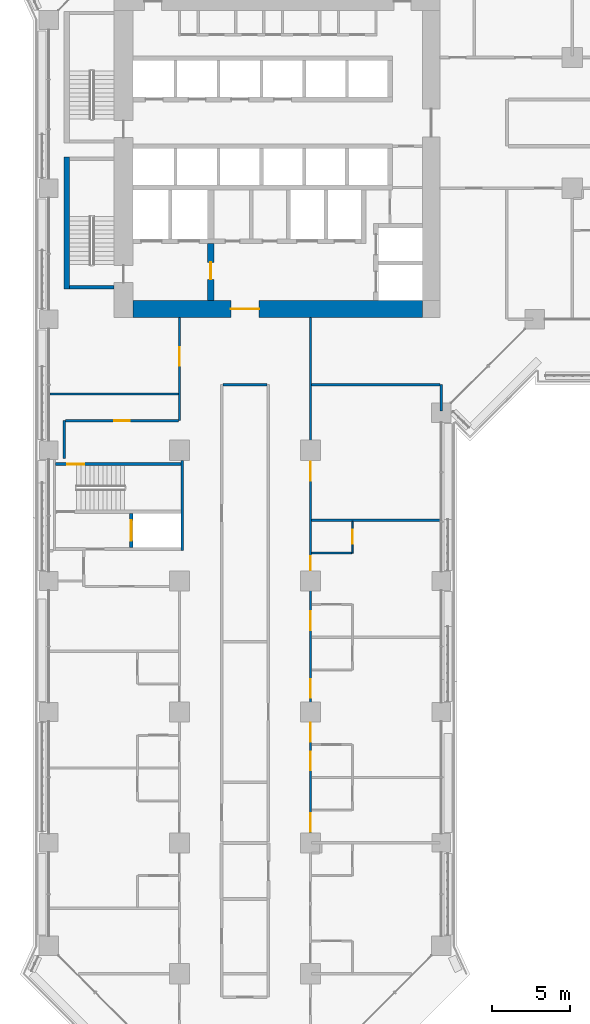
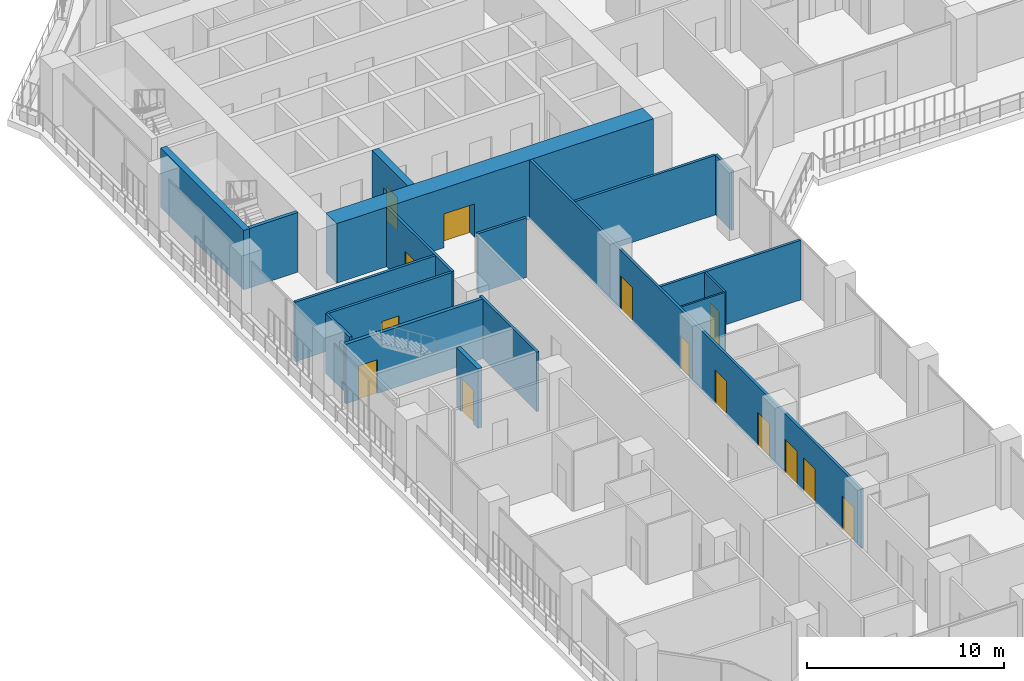
# One storey, part 14 of 28: 18 walls, 14 doors, 14 openings.
"""IFC4 building model written with IfcOpenShell, lengths in metres."""

from ifc_helpers import new_model, si_unit, direction, frame, frame_2d, origin, place, context, subcontext, project, spatial, rectangle, extrude, material, layer, layer_set, type_object, element, fill, save


model = new_model("IFC4")

# Units and contexts
model_context = context("Model", 3, precision=1e-05, world=origin(), true_north=direction((0.0, 1.0)))
body_context = subcontext(model_context, "Body", "Model", "MODEL_VIEW")
ifc_project = project(units=[si_unit("LENGTHUNIT", "METRE"), si_unit("AREAUNIT", "SQUARE_METRE"), si_unit("VOLUMEUNIT", "CUBIC_METRE"), si_unit("PLANEANGLEUNIT", "RADIAN"), si_unit("MASSUNIT", "GRAM", prefix="KILO")], contexts=[model_context])

# Site, building, storey
site_placement = place(None, origin())
site = spatial("IfcSite", under=ifc_project, at=site_placement, CompositionType="ELEMENT")
building_placement = place(site_placement, origin())
building = spatial("IfcBuilding", under=site, at=building_placement, Name="Kawkab Arch Medical Tower", CompositionType="ELEMENT")
storey_placement = place(building_placement, frame((0.0, 0.0, 89.60009765625)))
storey = spatial("IfcBuildingStorey", under=building, at=storey_placement, Name="L20", CompositionType="ELEMENT", Elevation=89.60009765625)

# Wall, opening, door
ifc_material_1 = material(Name="Concrete C60/75", Category="concrete")
ifc_layer_1 = layer(ifc_material_1, 1.10009765625)
ifc_layer_set_1 = layer_set([ifc_layer_1], Name="Concrete C60/75")
wall_type_1 = type_object("IfcWallType", Name="Core ring wall 1100 C60/75", PredefinedType="SHEAR", material=ifc_layer_set_1)
wall_1_placement = place(storey_placement, frame((5.39990234375, -24.550048828125, 0.0), z_axis=(0.0, 0.0, 1.0), x_axis=(1.0, 0.0, 0.0)))
wall_1 = element("IfcWall", 1, at=wall_1_placement, inside=storey, type_object=wall_type_1, Name="L20 core wall", PredefinedType="SHEAR", context=body_context, shape_type="SweptSolid", body=[
    extrude(rectangle(XDim=18.60009765625, YDim=1.10009765625, at=frame_2d((9.300048828125, 0.0))), origin(), (0.0, 0.0, 1.0), 3.699951171875),
])
opening_1_placement = place(wall_1_placement, frame((6.300048828125, 0.0, 0.0)))
opening_1 = element("IfcOpeningElement", 2, at=opening_1_placement, cuts=wall_1, Name="Opening PD", PredefinedType="OPENING", context=body_context, shape_type="SweptSolid", body=[
    extrude(rectangle(XDim=1.800048828125, YDim=2.10009765625, at=frame_2d((0.89990234375, 1.050048828125))), frame((0.0, 0.56005859375, 0.0), z_axis=(0.0, -1.0, 0.0), x_axis=(1.0, 0.0, 0.0)), (0.0, 0.0, 1.0), 1.1201171875),
])
ifc_material_2 = material(Name="Hollow metal fire door leaf")
door_type_1 = type_object("IfcDoorType", Name="Core entrance doors 1800", OperationType="DOUBLE_DOOR_SINGLE_SWING", PredefinedType="DOOR", material=ifc_material_2)
door_1_placement = place(opening_1_placement, origin())
door_1 = element("IfcDoor", 3, at=door_1_placement, inside=storey, type_object=door_type_1, Name="L20 South entrance doors", OperationType="DOUBLE_DOOR_SINGLE_SWING", OverallHeight=2.10009765625, OverallWidth=1.800048828125, PredefinedType="DOOR", context=body_context, shape_type="SweptSolid", body=[
    extrude(rectangle(XDim=1.800048828125, YDim=2.10009765625, at=frame_2d((0.89990234375, 1.050048828125))), frame((0.0, 0.02490234375, 0.0), z_axis=(0.0, -1.0, 0.0), x_axis=(1.0, 0.0, 0.0)), (0.0, 0.0, 1.0), 0.050048828125),
])
fill(opening_1, door_1)

ifc_material_3 = material(Name="Concrete C60/75", Category="concrete")
ifc_layer_2 = layer(ifc_material_3, 0.25)
ifc_layer_set_2 = layer_set([ifc_layer_2], Name="Concrete C60/75")
wall_type_2 = type_object("IfcWallType", Name="Core shear wall 250 C60/75", PredefinedType="SHEAR", material=ifc_layer_set_2)
wall_2_placement = place(storey_placement, frame((5.300048828125, -39.85009765625, 0.0), z_axis=(0.0, 0.0, 1.0), x_axis=(0.0, 1.0, 0.0)))
wall_2 = element("IfcWall", 4, at=wall_2_placement, inside=storey, type_object=wall_type_2, Name="L20 core shear wall", PredefinedType="SHEAR", context=body_context, shape_type="SweptSolid", body=[
    extrude(rectangle(XDim=2.2001953125, YDim=0.25, at=frame_2d((1.10009765625, 0.0))), origin(), (0.0, 0.0, 1.0), 3.699951171875),
])
opening_2_placement = place(wall_2_placement, frame((0.449951171875, 0.0, 0.0)))
opening_2 = element("IfcOpeningElement", 5, at=opening_2_placement, cuts=wall_2, Name="Opening LD2", PredefinedType="OPENING", context=body_context, shape_type="SweptSolid", body=[
    extrude(rectangle(XDim=1.300048828125, YDim=2.10009765625, at=frame_2d((0.64990234375, 1.050048828125))), frame((0.0, 0.135009765625, 0.0), z_axis=(0.0, -1.0, 0.0), x_axis=(1.0, 0.0, 0.0)), (0.0, 0.0, 1.0), 0.27001953125),
])
ifc_material_4 = material(Name="Stainless steel lift door leaf", Category="steel")
door_type_2 = type_object("IfcDoorType", Name="Lift landing door 1300", OperationType="DOUBLE_DOOR_SLIDING", PredefinedType="DOOR", material=ifc_material_4)
door_2_placement = place(opening_2_placement, origin())
door_2 = element("IfcDoor", 6, at=door_2_placement, inside=storey, type_object=door_type_2, Name="L20 Lift landing door SV2", OperationType="DOUBLE_DOOR_SLIDING", OverallHeight=2.10009765625, OverallWidth=1.300048828125, PredefinedType="DOOR", context=body_context, shape_type="SweptSolid", body=[
    extrude(rectangle(XDim=1.300048828125, YDim=2.10009765625, at=frame_2d((0.64990234375, 1.050048828125))), frame((0.0, 0.02490234375, 0.0), z_axis=(0.0, -1.0, 0.0), x_axis=(1.0, 0.0, 0.0)), (0.0, 0.0, 1.0), 0.050048828125),
])
fill(opening_2, door_2)

ifc_material_5 = material(Name="Concrete C60/75", Category="concrete")
ifc_layer_3 = layer(ifc_material_5, 0.39990234375)
ifc_layer_set_3 = layer_set([ifc_layer_3], Name="Concrete C60/75")
wall_type_3 = type_object("IfcWallType", Name="Core shear wall 400 C60/75", PredefinedType="SHEAR", material=ifc_layer_set_3)
wall_3_placement = place(storey_placement, frame((10.39990234375, -24.0, 0.0), z_axis=(0.0, 0.0, 1.0), x_axis=(0.0, 1.0, 0.0)))
wall_3 = element("IfcWall", 7, at=wall_3_placement, inside=storey, type_object=wall_type_3, Name="L20 core shear wall", PredefinedType="SHEAR", context=body_context, shape_type="SweptSolid", body=[
    extrude(rectangle(XDim=3.64990234375, YDim=0.39990234375, at=frame_2d((1.824951171875, 0.0))), origin(), (0.0, 0.0, 1.0), 3.699951171875),
])
opening_3_placement = place(wall_3_placement, frame((1.35009765625, 0.0, 0.0)))
opening_3 = element("IfcOpeningElement", 8, at=opening_3_placement, cuts=wall_3, Name="Opening FD", PredefinedType="OPENING", context=body_context, shape_type="SweptSolid", body=[
    extrude(rectangle(XDim=1.10009765625, YDim=2.10009765625, at=frame_2d((0.550048828125, 1.050048828125))), frame((0.0, 0.2099609375, 0.0), z_axis=(0.0, -1.0, 0.0), x_axis=(1.0, 0.0, 0.0)), (0.0, 0.0, 1.0), 0.419921875),
])
ifc_material_6 = material(Name="Hollow metal fire door leaf")
door_type_3 = type_object("IfcDoorType", Name="Firefighting lobby door 1100", OperationType="SINGLE_SWING_LEFT", PredefinedType="DOOR", material=ifc_material_6)
door_3_placement = place(opening_3_placement, origin())
door_3 = element("IfcDoor", 9, at=door_3_placement, inside=storey, type_object=door_type_3, Name="L20 Firefighting lobby door", OperationType="SINGLE_SWING_LEFT", OverallHeight=2.10009765625, OverallWidth=1.10009765625, PredefinedType="DOOR", context=body_context, shape_type="SweptSolid", body=[
    extrude(rectangle(XDim=1.10009765625, YDim=2.10009765625, at=frame_2d((0.550048828125, 1.050048828125))), frame((0.0, 0.02490234375, 0.0), z_axis=(0.0, -1.0, 0.0), x_axis=(1.0, 0.0, 0.0)), (0.0, 0.0, 1.0), 0.050048828125),
])
fill(opening_3, door_3)

# Wall
ifc_material_7 = material(Name="Gypsum board partition on steel studs", Category="steel")
ifc_layer_4 = layer(ifc_material_7, 0.10009765625)
ifc_layer_set_4 = layer_set([ifc_layer_4], Name="Gypsum board partition on steel studs")
wall_type_4 = type_object("IfcWallType", Name="Partition 100", PredefinedType="PARTITIONING", material=ifc_layer_set_4)
wall_4_placement = place(storey_placement, frame((16.875, -40.199951171875, 0.0), z_axis=(0.0, 0.0, 1.0), x_axis=(1.0, 0.0, 0.0)))
element("IfcWall", 10, at=wall_4_placement, inside=storey, type_object=wall_type_4, Name="Partition 100 w011", PredefinedType="PARTITIONING", context=body_context, shape_type="SweptSolid", body=[
    extrude(rectangle(XDim=2.574951171875, YDim=0.10009765625, at=frame_2d((1.28759765625, 0.0))), origin(), (0.0, 0.0, 1.0), 3.699951171875),
])

# Wall, opening, door
wall_5_placement = place(storey_placement, frame((19.5, -40.199951171875, 0.0), z_axis=(0.0, 0.0, 1.0), x_axis=(0.0, 1.0, 0.0)))
wall_5 = element("IfcWall", 11, at=wall_5_placement, inside=storey, type_object=wall_type_4, Name="Partition 100 w028", PredefinedType="PARTITIONING", context=body_context, shape_type="SweptSolid", body=[
    extrude(rectangle(XDim=2.02490234375, YDim=0.10009765625, at=frame_2d((1.012451171875, 0.0))), origin(), (0.0, 0.0, 1.0), 3.699951171875),
])
opening_4_placement = place(wall_5_placement, frame((0.60009765625, 0.0, 0.0)))
opening_4 = element("IfcOpeningElement", 12, at=opening_4_placement, cuts=wall_5, Name="Opening W13B-014", PredefinedType="OPENING", context=body_context, shape_type="SweptSolid", body=[
    extrude(rectangle(XDim=0.89990234375, YDim=2.10009765625, at=frame_2d((0.449951171875, 1.050048828125))), frame((0.0, 0.06005859375, 0.0), z_axis=(0.0, -1.0, 0.0), x_axis=(1.0, 0.0, 0.0)), (0.0, 0.0, 1.0), 0.1201171875),
])
ifc_material_8 = material(Name="Timber door leaf", Category="wood")
door_type_4 = type_object("IfcDoorType", Name="Single door 900x2100", OperationType="NOTDEFINED", PredefinedType="DOOR", material=ifc_material_8)
door_4_placement = place(opening_4_placement, origin())
door_4 = element("IfcDoor", 13, at=door_4_placement, inside=storey, type_object=door_type_4, Name="Door W13B-014", OperationType="SINGLE_SWING_RIGHT", OverallHeight=2.10009765625, OverallWidth=0.89990234375, PredefinedType="DOOR", context=body_context, shape_type="SweptSolid", body=[
    extrude(rectangle(XDim=0.89990234375, YDim=2.10009765625, at=frame_2d((0.449951171875, 1.050048828125))), frame((0.0, 0.02490234375, 0.0), z_axis=(0.0, -1.0, 0.0), x_axis=(1.0, 0.0, 0.0)), (0.0, 0.0, 1.0), 0.050048828125),
])
fill(opening_4, door_4)

# Wall
ifc_material_9 = material(Name="Gypsum board partition on steel studs, mineral wool", Category="steel")
ifc_layer_5 = layer(ifc_material_9, 0.14990234375)
ifc_layer_set_5 = layer_set([ifc_layer_5], Name="Gypsum board partition on steel studs, mineral wool")
wall_type_5 = type_object("IfcWallType", Name="Partition 150", PredefinedType="PARTITIONING", material=ifc_layer_set_5)
wall_6_placement = place(storey_placement, frame((16.875, -38.10009765625, 0.0), z_axis=(0.0, 0.0, 1.0), x_axis=(1.0, 0.0, 0.0)))
element("IfcWall", 14, at=wall_6_placement, inside=storey, type_object=wall_type_5, Name="Partition 150 w059", PredefinedType="PARTITIONING", context=body_context, shape_type="SweptSolid", body=[
    extrude(rectangle(XDim=8.2451171875, YDim=0.14990234375, at=frame_2d((4.12255859375, 0.0))), origin(), (0.0, 0.0, 1.0), 3.699951171875),
])

# Wall, opening, door
wall_7_placement = place(storey_placement, frame((1.076904296875, -31.70703125, 0.0), z_axis=(0.0, 0.0, 1.0), x_axis=(1.0, 0.0, 0.0)))
wall_7 = element("IfcWall", 15, at=wall_7_placement, inside=storey, type_object=wall_type_5, Name="Partition 150 w060", PredefinedType="PARTITIONING", context=body_context, shape_type="SweptSolid", body=[
    extrude(rectangle(XDim=7.248046875, YDim=0.14990234375, at=frame_2d((3.6240234375, 0.0))), origin(), (0.0, 0.0, 1.0), 3.699951171875),
])
opening_5_placement = place(wall_7_placement, frame((3.1240234375, 0.0, 0.0)))
opening_5 = element("IfcOpeningElement", 16, at=opening_5_placement, cuts=wall_7, Name="Opening W13B-027", PredefinedType="OPENING", context=body_context, shape_type="SweptSolid", body=[
    extrude(rectangle(XDim=1.0, YDim=2.10009765625, at=frame_2d((0.5, 1.050048828125))), frame((0.0, 0.0849609375, 0.0), z_axis=(0.0, -1.0, 0.0), x_axis=(1.0, 0.0, 0.0)), (0.0, 0.0, 1.0), 0.169921875),
])
ifc_material_10 = material(Name="Hollow metal door leaf")
door_type_5 = type_object("IfcDoorType", Name="Single door 1000x2100 FD30S", OperationType="NOTDEFINED", PredefinedType="DOOR", material=ifc_material_10)
door_5_placement = place(opening_5_placement, origin())
door_5 = element("IfcDoor", 17, at=door_5_placement, inside=storey, type_object=door_type_5, Name="Door W13B-027", OperationType="SINGLE_SWING_LEFT", OverallHeight=2.10009765625, OverallWidth=1.0, PredefinedType="DOOR", context=body_context, shape_type="SweptSolid", body=[
    extrude(rectangle(XDim=1.0, YDim=2.10009765625, at=frame_2d((0.5, 1.050048828125))), frame((0.0, 0.02490234375, 0.0), z_axis=(0.0, -1.0, 0.0), x_axis=(1.0, 0.0, 0.0)), (0.0, 0.0, 1.0), 0.050048828125),
])
fill(opening_5, door_5)

# Walls
wall_8_placement = place(storey_placement, frame((0.080078125, -30.0, 0.0), z_axis=(0.0, 0.0, 1.0), x_axis=(1.0, 0.0, 0.0)))
element("IfcWall", 18, at=wall_8_placement, inside=storey, type_object=wall_type_5, Name="Partition 150 w061", PredefinedType="PARTITIONING", context=body_context, shape_type="SweptSolid", body=[
    extrude(rectangle(XDim=8.244873046875, YDim=0.14990234375, at=frame_2d((4.12255859375, 0.0))), origin(), (0.0, 0.0, 1.0), 3.699951171875),
])
wall_9_placement = place(storey_placement, frame((11.175048828125, -29.39990234375, 0.0), z_axis=(0.0, 0.0, 1.0), x_axis=(1.0, 0.0, 0.0)))
element("IfcWall", 19, at=wall_9_placement, inside=storey, type_object=wall_type_5, Name="Partition 150 w062", PredefinedType="PARTITIONING", context=body_context, shape_type="SweptSolid", body=[
    extrude(rectangle(XDim=2.849853515625, YDim=0.14990234375, at=frame_2d((1.4248046875, 0.0))), origin(), (0.0, 0.0, 1.0), 3.699951171875),
])
wall_10_placement = place(storey_placement, frame((16.875, -29.39990234375, 0.0), z_axis=(0.0, 0.0, 1.0), x_axis=(1.0, 0.0, 0.0)))
element("IfcWall", 20, at=wall_10_placement, inside=storey, type_object=wall_type_5, Name="Partition 150 w063", PredefinedType="PARTITIONING", context=body_context, shape_type="SweptSolid", body=[
    extrude(rectangle(XDim=8.25, YDim=0.14990234375, at=frame_2d((4.125, 0.0))), origin(), (0.0, 0.0, 1.0), 3.699951171875),
])
wall_11_placement = place(storey_placement, frame((1.0, -34.123046875, 0.0), z_axis=(0.0, 0.0, 1.0), x_axis=(0.0, 1.0, 0.0)))
element("IfcWall", 21, at=wall_11_placement, inside=storey, type_object=wall_type_5, Name="Partition 150 w080", PredefinedType="PARTITIONING", context=body_context, shape_type="SweptSolid", body=[
    extrude(rectangle(XDim=2.4150390625, YDim=0.14990234375, at=frame_2d((1.20751953125, 0.0))), origin(), (0.0, 0.0, 1.0), 3.699951171875),
])

# Wall, opening, door
wall_12_placement = place(storey_placement, frame((8.39990234375, -31.70703125, 0.0), z_axis=(0.0, 0.0, 1.0), x_axis=(0.0, 1.0, 0.0)))
wall_12 = element("IfcWall", 22, at=wall_12_placement, inside=storey, type_object=wall_type_5, Name="Partition 150 w084", PredefinedType="PARTITIONING", context=body_context, shape_type="SweptSolid", body=[
    extrude(rectangle(XDim=6.60693359375, YDim=0.14990234375, at=frame_2d((3.303466796875, 0.0))), origin(), (0.0, 0.0, 1.0), 3.699951171875),
])
opening_6_placement = place(wall_12_placement, frame((3.507080078125, 0.0, 0.0)))
opening_6 = element("IfcOpeningElement", 23, at=opening_6_placement, cuts=wall_12, Name="Opening W13B-067", PredefinedType="OPENING", context=body_context, shape_type="SweptSolid", body=[
    extrude(rectangle(XDim=1.199951171875, YDim=2.10009765625, at=frame_2d((0.60009765625, 1.050048828125))), frame((0.0, 0.0849609375, 0.0), z_axis=(0.0, -1.0, 0.0), x_axis=(1.0, 0.0, 0.0)), (0.0, 0.0, 1.0), 0.169921875),
])
ifc_material_11 = material(Name="Hollow metal door leaf")
door_type_6 = type_object("IfcDoorType", Name="Single door 1200x2100 FD30S", OperationType="NOTDEFINED", PredefinedType="DOOR", material=ifc_material_11)
door_6_placement = place(opening_6_placement, origin())
door_6 = element("IfcDoor", 24, at=door_6_placement, inside=storey, type_object=door_type_6, Name="Door W13B-067", OperationType="SINGLE_SWING_RIGHT", OverallHeight=2.10009765625, OverallWidth=1.199951171875, PredefinedType="DOOR", context=body_context, shape_type="SweptSolid", body=[
    extrude(rectangle(XDim=1.199951171875, YDim=2.10009765625, at=frame_2d((0.60009765625, 1.050048828125))), frame((0.0, 0.02490234375, 0.0), z_axis=(0.0, -1.0, 0.0), x_axis=(1.0, 0.0, 0.0)), (0.0, 0.0, 1.0), 0.050048828125),
])
fill(opening_6, door_6)

# Wall, openings, doors
wall_13_placement = place(storey_placement, frame((16.800048828125, -58.798095703125, 0.0), z_axis=(0.0, 0.0, 1.0), x_axis=(0.0, 1.0, 0.0)))
wall_13 = element("IfcWall", 25, at=wall_13_placement, inside=storey, type_object=wall_type_5, Name="Partition 150 w091", PredefinedType="PARTITIONING", context=body_context, shape_type="SweptSolid", body=[
    extrude(rectangle(XDim=33.697998046875, YDim=0.14990234375, at=frame_2d((16.84912109375, 0.0))), origin(), (0.0, 0.0, 1.0), 3.699951171875),
])
opening_7_placement = place(wall_13_placement, frame((23.248046875, 0.0, 0.0)))
opening_7 = element("IfcOpeningElement", 26, at=opening_7_placement, cuts=wall_13, Name="Opening W13B-074", PredefinedType="OPENING", context=body_context, shape_type="SweptSolid", body=[
    extrude(rectangle(XDim=1.199951171875, YDim=2.10009765625, at=frame_2d((0.60009765625, 1.050048828125))), frame((0.0, 0.0849609375, 0.0), z_axis=(0.0, -1.0, 0.0), x_axis=(1.0, 0.0, 0.0)), (0.0, 0.0, 1.0), 0.169921875),
])
opening_8_placement = place(wall_13_placement, frame((17.498046875, 0.0, 0.0)))
opening_8 = element("IfcOpeningElement", 27, at=opening_8_placement, cuts=wall_13, Name="Opening W13B-019", PredefinedType="OPENING", context=body_context, shape_type="SweptSolid", body=[
    extrude(rectangle(XDim=0.89990234375, YDim=2.10009765625, at=frame_2d((0.449951171875, 1.050048828125))), frame((0.0, 0.0849609375, 0.0), z_axis=(0.0, -1.0, 0.0), x_axis=(1.0, 0.0, 0.0)), (0.0, 0.0, 1.0), 0.169921875),
])
opening_9_placement = place(wall_13_placement, frame((13.64794921875, 0.0, 0.0)))
opening_9 = element("IfcOpeningElement", 28, at=opening_9_placement, cuts=wall_13, Name="Opening W13B-075", PredefinedType="OPENING", context=body_context, shape_type="SweptSolid", body=[
    extrude(rectangle(XDim=1.199951171875, YDim=2.10009765625, at=frame_2d((0.60009765625, 1.050048828125))), frame((0.0, 0.0849609375, 0.0), z_axis=(0.0, -1.0, 0.0), x_axis=(1.0, 0.0, 0.0)), (0.0, 0.0, 1.0), 0.169921875),
])
opening_10_placement = place(wall_13_placement, frame((9.298095703125, 0.0, 0.0)))
opening_10 = element("IfcOpeningElement", 29, at=opening_10_placement, cuts=wall_13, Name="Opening W13B-077", PredefinedType="OPENING", context=body_context, shape_type="SweptSolid", body=[
    extrude(rectangle(XDim=1.199951171875, YDim=2.10009765625, at=frame_2d((0.60009765625, 1.050048828125))), frame((0.0, 0.0849609375, 0.0), z_axis=(0.0, -1.0, 0.0), x_axis=(1.0, 0.0, 0.0)), (0.0, 0.0, 1.0), 0.169921875),
])
opening_11_placement = place(wall_13_placement, frame((6.498046875, 0.0, 0.0)))
opening_11 = element("IfcOpeningElement", 30, at=opening_11_placement, cuts=wall_13, Name="Opening W13B-078", PredefinedType="OPENING", context=body_context, shape_type="SweptSolid", body=[
    extrude(rectangle(XDim=1.199951171875, YDim=2.10009765625, at=frame_2d((0.60009765625, 1.050048828125))), frame((0.0, 0.0849609375, 0.0), z_axis=(0.0, -1.0, 0.0), x_axis=(1.0, 0.0, 0.0)), (0.0, 0.0, 1.0), 0.169921875),
])
opening_12_placement = place(wall_13_placement, frame((4.64794921875, 0.0, 0.0)))
opening_12 = element("IfcOpeningElement", 31, at=opening_12_placement, cuts=wall_13, Name="Opening W13B-079", PredefinedType="OPENING", context=body_context, shape_type="SweptSolid", body=[
    extrude(rectangle(XDim=1.199951171875, YDim=2.10009765625, at=frame_2d((0.60009765625, 1.050048828125))), frame((0.0, 0.0849609375, 0.0), z_axis=(0.0, -1.0, 0.0), x_axis=(1.0, 0.0, 0.0)), (0.0, 0.0, 1.0), 0.169921875),
])
opening_13_placement = place(wall_13_placement, frame((0.697998046875, 0.0, 0.0)))
opening_13 = element("IfcOpeningElement", 32, at=opening_13_placement, cuts=wall_13, Name="Opening W13B-081", PredefinedType="OPENING", context=body_context, shape_type="SweptSolid", body=[
    extrude(rectangle(XDim=1.199951171875, YDim=2.10009765625, at=frame_2d((0.60009765625, 1.050048828125))), frame((0.0, 0.0849609375, 0.0), z_axis=(0.0, -1.0, 0.0), x_axis=(1.0, 0.0, 0.0)), (0.0, 0.0, 1.0), 0.169921875),
])
door_7_placement = place(opening_7_placement, origin())
door_7 = element("IfcDoor", 33, at=door_7_placement, inside=storey, type_object=door_type_6, Name="Door W13B-074", OperationType="SINGLE_SWING_LEFT", OverallHeight=2.10009765625, OverallWidth=1.199951171875, PredefinedType="DOOR", context=body_context, shape_type="SweptSolid", body=[
    extrude(rectangle(XDim=1.199951171875, YDim=2.10009765625, at=frame_2d((0.60009765625, 1.050048828125))), frame((0.0, 0.02490234375, 0.0), z_axis=(0.0, -1.0, 0.0), x_axis=(1.0, 0.0, 0.0)), (0.0, 0.0, 1.0), 0.050048828125),
])
fill(opening_7, door_7)
door_8_placement = place(opening_9_placement, origin())
door_8 = element("IfcDoor", 34, at=door_8_placement, inside=storey, type_object=door_type_6, Name="Door W13B-075", OperationType="SINGLE_SWING_RIGHT", OverallHeight=2.10009765625, OverallWidth=1.199951171875, PredefinedType="DOOR", context=body_context, shape_type="SweptSolid", body=[
    extrude(rectangle(XDim=1.199951171875, YDim=2.10009765625, at=frame_2d((0.60009765625, 1.050048828125))), frame((0.0, 0.02490234375, 0.0), z_axis=(0.0, -1.0, 0.0), x_axis=(1.0, 0.0, 0.0)), (0.0, 0.0, 1.0), 0.050048828125),
])
fill(opening_9, door_8)
door_9_placement = place(opening_10_placement, origin())
door_9 = element("IfcDoor", 35, at=door_9_placement, inside=storey, type_object=door_type_6, Name="Door W13B-077", OperationType="SINGLE_SWING_RIGHT", OverallHeight=2.10009765625, OverallWidth=1.199951171875, PredefinedType="DOOR", context=body_context, shape_type="SweptSolid", body=[
    extrude(rectangle(XDim=1.199951171875, YDim=2.10009765625, at=frame_2d((0.60009765625, 1.050048828125))), frame((0.0, 0.02490234375, 0.0), z_axis=(0.0, -1.0, 0.0), x_axis=(1.0, 0.0, 0.0)), (0.0, 0.0, 1.0), 0.050048828125),
])
fill(opening_10, door_9)
door_10_placement = place(opening_11_placement, origin())
door_10 = element("IfcDoor", 36, at=door_10_placement, inside=storey, type_object=door_type_6, Name="Door W13B-078", OperationType="SINGLE_SWING_RIGHT", OverallHeight=2.10009765625, OverallWidth=1.199951171875, PredefinedType="DOOR", context=body_context, shape_type="SweptSolid", body=[
    extrude(rectangle(XDim=1.199951171875, YDim=2.10009765625, at=frame_2d((0.60009765625, 1.050048828125))), frame((0.0, 0.02490234375, 0.0), z_axis=(0.0, -1.0, 0.0), x_axis=(1.0, 0.0, 0.0)), (0.0, 0.0, 1.0), 0.050048828125),
])
fill(opening_11, door_10)
door_11_placement = place(opening_12_placement, origin())
door_11 = element("IfcDoor", 37, at=door_11_placement, inside=storey, type_object=door_type_6, Name="Door W13B-079", OperationType="SINGLE_SWING_RIGHT", OverallHeight=2.10009765625, OverallWidth=1.199951171875, PredefinedType="DOOR", context=body_context, shape_type="SweptSolid", body=[
    extrude(rectangle(XDim=1.199951171875, YDim=2.10009765625, at=frame_2d((0.60009765625, 1.050048828125))), frame((0.0, 0.02490234375, 0.0), z_axis=(0.0, -1.0, 0.0), x_axis=(1.0, 0.0, 0.0)), (0.0, 0.0, 1.0), 0.050048828125),
])
fill(opening_12, door_11)
door_12_placement = place(opening_13_placement, origin())
door_12 = element("IfcDoor", 38, at=door_12_placement, inside=storey, type_object=door_type_6, Name="Door W13B-081", OperationType="SINGLE_SWING_RIGHT", OverallHeight=2.10009765625, OverallWidth=1.199951171875, PredefinedType="DOOR", context=body_context, shape_type="SweptSolid", body=[
    extrude(rectangle(XDim=1.199951171875, YDim=2.10009765625, at=frame_2d((0.60009765625, 1.050048828125))), frame((0.0, 0.02490234375, 0.0), z_axis=(0.0, -1.0, 0.0), x_axis=(1.0, 0.0, 0.0)), (0.0, 0.0, 1.0), 0.050048828125),
])
fill(opening_13, door_12)
ifc_material_12 = material(Name="Hollow metal door leaf")
door_type_7 = type_object("IfcDoorType", Name="Single door 900x2100 FD30S", OperationType="NOTDEFINED", PredefinedType="DOOR", material=ifc_material_12)
door_13_placement = place(opening_8_placement, origin())
door_13 = element("IfcDoor", 39, at=door_13_placement, inside=storey, type_object=door_type_7, Name="Door W13B-019", OperationType="SINGLE_SWING_LEFT", OverallHeight=2.10009765625, OverallWidth=0.89990234375, PredefinedType="DOOR", context=body_context, shape_type="SweptSolid", body=[
    extrude(rectangle(XDim=0.89990234375, YDim=2.10009765625, at=frame_2d((0.449951171875, 1.050048828125))), frame((0.0, 0.02490234375, 0.0), z_axis=(0.0, -1.0, 0.0), x_axis=(1.0, 0.0, 0.0)), (0.0, 0.0, 1.0), 0.050048828125),
])
fill(opening_8, door_13)

# Walls
wall_14_placement = place(storey_placement, frame((25.199951171875, -31.0869140625, 0.0), z_axis=(0.0, 0.0, 1.0), x_axis=(0.0, 1.0, 0.0)))
element("IfcWall", 40, at=wall_14_placement, inside=storey, type_object=wall_type_5, Name="Partition 150 w093", PredefinedType="PARTITIONING", context=body_context, shape_type="SweptSolid", body=[
    extrude(rectangle(XDim=1.68701171875, YDim=0.14990234375, at=frame_2d((0.843505859375, 0.0))), origin(), (0.0, 0.0, 1.0), 3.699951171875),
])
ifc_material_13 = material(Name="Concrete C50/60", Category="concrete")
ifc_layer_6 = layer(ifc_material_13, 0.14990234375)
ifc_layer_set_6 = layer_set([ifc_layer_6], Name="Concrete C50/60")
wall_type_6 = type_object("IfcWallType", Name="Stair enclosure wall 150 C50/60", PredefinedType="SHEAR", material=ifc_layer_set_6)
wall_15_placement = place(storey_placement, frame((8.574951171875, -40.050048828125, 0.0), z_axis=(0.0, 0.0, 1.0), x_axis=(0.0, 1.0, 0.0)))
element("IfcWall", 41, at=wall_15_placement, inside=storey, type_object=wall_type_6, Name="L20 stair enclosure wall", PredefinedType="SHEAR", context=body_context, shape_type="SweptSolid", body=[
    extrude(rectangle(XDim=5.800048828125, YDim=0.14990234375, at=frame_2d((2.89990234375, 0.0))), origin(), (0.0, 0.0, 1.0), 3.699951171875),
])
ifc_material_14 = material(Name="Concrete C50/60", Category="concrete")
ifc_layer_7 = layer(ifc_material_14, 0.199951171875)
ifc_layer_set_7 = layer_set([ifc_layer_7], Name="Concrete C50/60")
wall_type_7 = type_object("IfcWallType", Name="Stair enclosure wall 200 C50/60", PredefinedType="SHEAR", material=ifc_layer_set_7)
wall_16_placement = place(storey_placement, frame((1.35009765625, -23.14990234375, 0.0), z_axis=(0.0, 0.0, 1.0), x_axis=(1.0, 0.0, 0.0)))
element("IfcWall", 42, at=wall_16_placement, inside=storey, type_object=wall_type_7, Name="L20 stair enclosure wall", PredefinedType="SHEAR", context=body_context, shape_type="SweptSolid", body=[
    extrude(rectangle(XDim=2.849853515625, YDim=0.199951171875, at=frame_2d((1.4248046875, 0.0))), origin(), (0.0, 0.0, 1.0), 3.699951171875),
])

# Wall, opening, door
wall_17_placement = place(storey_placement, frame((0.449951171875, -34.5, 0.0), z_axis=(0.0, 0.0, 1.0), x_axis=(1.0, 0.0, 0.0)))
wall_17 = element("IfcWall", 43, at=wall_17_placement, inside=storey, type_object=wall_type_7, Name="L20 stair enclosure wall", PredefinedType="SHEAR", context=body_context, shape_type="SweptSolid", body=[
    extrude(rectangle(XDim=8.050048828125, YDim=0.199951171875, at=frame_2d((4.02490234375, 0.0))), origin(), (0.0, 0.0, 1.0), 3.699951171875),
])
opening_14_placement = place(wall_17_placement, frame((0.75, 0.0, 0.0)))
opening_14 = element("IfcOpeningElement", 44, at=opening_14_placement, cuts=wall_17, Name="Opening SD", PredefinedType="OPENING", context=body_context, shape_type="SweptSolid", body=[
    extrude(rectangle(XDim=1.10009765625, YDim=2.10009765625, at=frame_2d((0.550048828125, 1.050048828125))), frame((0.0, 0.10986328125, 0.0), z_axis=(0.0, -1.0, 0.0), x_axis=(1.0, 0.0, 0.0)), (0.0, 0.0, 1.0), 0.219970703125),
])
ifc_material_15 = material(Name="Hollow metal fire door leaf")
door_type_8 = type_object("IfcDoorType", Name="Exit stair door 1100", OperationType="SINGLE_SWING_LEFT", PredefinedType="DOOR", material=ifc_material_15)
door_14_placement = place(opening_14_placement, origin())
door_14 = element("IfcDoor", 45, at=door_14_placement, inside=storey, type_object=door_type_8, Name="L20 Exit stair ST6 door", OperationType="SINGLE_SWING_LEFT", OverallHeight=2.10009765625, OverallWidth=1.10009765625, PredefinedType="DOOR", context=body_context, shape_type="SweptSolid", body=[
    extrude(rectangle(XDim=1.10009765625, YDim=2.10009765625, at=frame_2d((0.550048828125, 1.050048828125))), frame((0.0, 0.02490234375, 0.0), z_axis=(0.0, -1.0, 0.0), x_axis=(1.0, 0.0, 0.0)), (0.0, 0.0, 1.0), 0.050048828125),
])
fill(opening_14, door_14)

# Wall
ifc_material_16 = material(Name="Concrete C50/60", Category="concrete")
ifc_layer_8 = layer(ifc_material_16, 0.35009765625)
ifc_layer_set_8 = layer_set([ifc_layer_8], Name="Concrete C50/60")
wall_type_8 = type_object("IfcWallType", Name="Stair enclosure wall 350 C50/60", PredefinedType="SHEAR", material=ifc_layer_set_8)
wall_18_placement = place(storey_placement, frame((1.175048828125, -23.25, 0.0), z_axis=(0.0, 0.0, 1.0), x_axis=(0.0, 1.0, 0.0)))
element("IfcWall", 46, at=wall_18_placement, inside=storey, type_object=wall_type_8, Name="L20 stair enclosure wall", PredefinedType="SHEAR", context=body_context, shape_type="SweptSolid", body=[
    extrude(rectangle(XDim=8.449951171875, YDim=0.35009765625, at=frame_2d((4.22509765625, 0.0))), origin(), (0.0, 0.0, 1.0), 3.699951171875),
])

save(model, "model.ifc")
